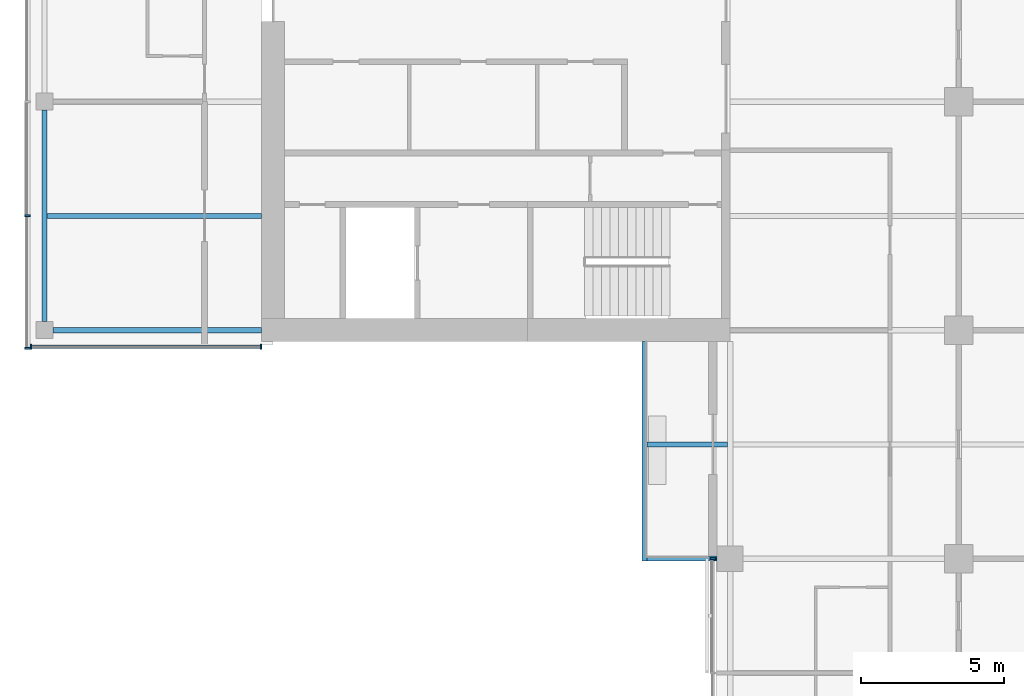
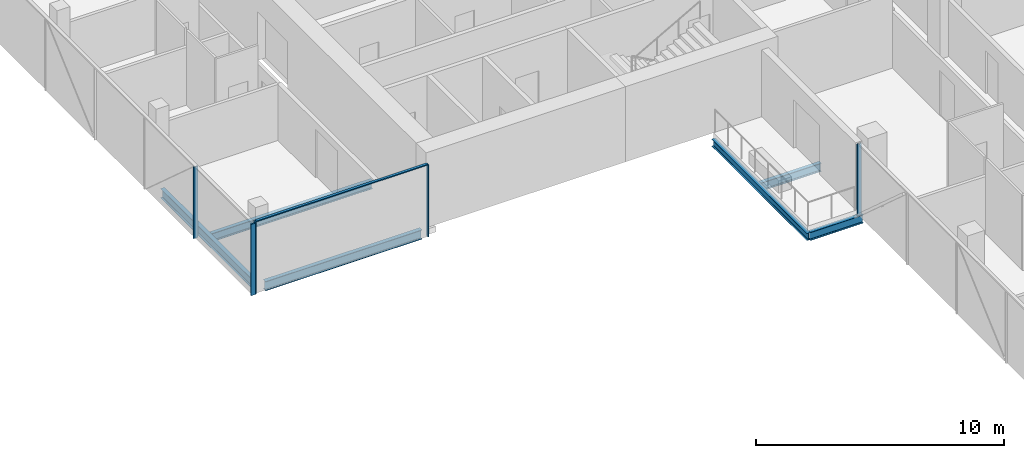
# One storey, part 3 of 27: 6 beams, 6 members, 3 elements without a shape of their own.
"""IFC4 building model written with IfcOpenShell, lengths in metres."""

from ifc_helpers import new_model, si_unit, direction, frame, origin, origin_2d, place, context, subcontext, project, spatial, rectangle, i_section, extrude, material, material_profile, profile_set, type_object, element, aggregate, save


model = new_model("IFC4")

# Units and contexts
model_context = context("Model", 3, precision=1e-05, world=origin(), true_north=direction((0.0, 1.0)))
body_context = subcontext(model_context, "Body", "Model", "MODEL_VIEW")
ifc_project = project(units=[si_unit("LENGTHUNIT", "METRE"), si_unit("AREAUNIT", "SQUARE_METRE"), si_unit("VOLUMEUNIT", "CUBIC_METRE"), si_unit("PLANEANGLEUNIT", "RADIAN"), si_unit("MASSUNIT", "GRAM", prefix="KILO")], contexts=[model_context])

# Site, building, storey
site_placement = place(None, origin())
site = spatial("IfcSite", under=ifc_project, at=site_placement, CompositionType="ELEMENT")
building_placement = place(site_placement, origin())
building = spatial("IfcBuilding", under=site, at=building_placement, Name="Crosswind Convention Tower", CompositionType="ELEMENT")
storey_placement = place(building_placement, frame((0.0, 0.0, 101.60009765625)))
storey = spatial("IfcBuildingStorey", under=building, at=storey_placement, Name="L20", CompositionType="ELEMENT", Elevation=101.60009765625)

# Beams
ifc_material_1 = material(Name="Steel S355", Category="steel")
ifc_material_profile_1 = material_profile(ifc_material_1, i_section(OverallWidth=0.177734375, OverallDepth=0.406494140625, WebThickness=0.0078125, FlangeThickness=0.0126953125, FilletRadius=0.01025390625, at=origin_2d()), Name="UB 406x178x60")
ifc_profile_set_1 = profile_set([ifc_material_profile_1], Name="Steel S355")
beam_type_1 = type_object("IfcBeamType", Name="Balcony cantilever UB 406x178x60", PredefinedType="BEAM", material=ifc_profile_set_1)
beam_1_placement = place(storey_placement, frame((112.90478515625, 84.0, -0.4833984375), z_axis=(-1.0, 0.0, 0.0), x_axis=(0.0, -1.0, 0.0)))
element("IfcBeam", 1, at=beam_1_placement, inside=storey, type_object=beam_type_1, Name="B35 L20 balcony cantilever SW 7", PredefinedType="BEAM", context=body_context, shape_type="SweptSolid", body=[
    extrude(i_section(OverallWidth=0.177734375, OverallDepth=0.406494140625, WebThickness=0.0078125, FlangeThickness=0.0126953125, FilletRadius=0.01025390625, at=origin_2d()), origin(), (0.0, 0.0, 1.0), 2.8193359375),
])
beam_2_placement = place(storey_placement, frame((112.550048828125, 80.0, -0.4833984375), z_axis=(-1.0, 0.0, 0.0), x_axis=(0.0, -1.0, 0.0)))
element("IfcBeam", 2, at=beam_2_placement, inside=storey, type_object=beam_type_1, Name="B35 L20 balcony cantilever SW 8", PredefinedType="BEAM", context=body_context, shape_type="SweptSolid", body=[
    extrude(i_section(OverallWidth=0.177734375, OverallDepth=0.406494140625, WebThickness=0.0078125, FlangeThickness=0.0126953125, FilletRadius=0.01025390625, at=origin_2d()), origin(), (0.0, 0.0, 1.0), 2.464599609375),
])
ifc_material_profile_2 = material_profile(ifc_material_1, i_section(OverallWidth=0.1708984375, OverallDepth=0.35205078125, WebThickness=0.0068359375, FlangeThickness=0.009765625, FilletRadius=0.01025390625, at=origin_2d()), Name="UB 356x171x45")
ifc_profile_set_2 = profile_set([ifc_material_profile_2], Name="Steel S355")
beam_type_2 = type_object("IfcBeamType", Name="Balcony edge beam UB 356x171x45", PredefinedType="BEAM", material=ifc_profile_set_2)
beam_3_placement = place(storey_placement, frame((110.0, 87.60009765625, -0.4560546875), z_axis=(0.0, -1.0, 0.0), x_axis=(1.0, 0.0, 0.0)))
element("IfcBeam", 3, at=beam_3_placement, inside=storey, type_object=beam_type_2, Name="B37 L20 balcony edge beam SW 9", PredefinedType="BEAM", context=body_context, shape_type="SweptSolid", body=[
    extrude(i_section(OverallWidth=0.1708984375, OverallDepth=0.35205078125, WebThickness=0.0068359375, FlangeThickness=0.009765625, FilletRadius=0.01025390625, at=origin_2d()), origin(), (0.0, 0.0, 1.0), 7.68896484375),
])
ifc_material_profile_3 = material_profile(ifc_material_1, i_section(OverallWidth=0.1904296875, OverallDepth=0.457275390625, WebThickness=0.009033203125, FlangeThickness=0.014404296875, FilletRadius=0.01025390625, at=origin_2d()), Name="UB 457x191x75")
ifc_profile_set_3 = profile_set([ifc_material_profile_3], Name="Steel S355")
beam_type_3 = type_object("IfcBeamType", Name="Edge beam UB 457x191x75", PredefinedType="SPANDREL", material=ifc_profile_set_3)
beam_4_placement = place(storey_placement, frame((89.0, 88.300048828125, -0.5087890625), z_axis=(0.0, 1.0, 0.0), x_axis=(-1.0, 0.0, 0.0)))
element("IfcBeam", 4, at=beam_4_placement, inside=storey, type_object=beam_type_3, Name="B17 L20 edge beam 1", PredefinedType="SPANDREL", context=body_context, shape_type="SweptSolid", body=[
    extrude(i_section(OverallWidth=0.1904296875, OverallDepth=0.457275390625, WebThickness=0.009033203125, FlangeThickness=0.014404296875, FilletRadius=0.01025390625, at=origin_2d()), origin(), (0.0, 0.0, 1.0), 7.39990234375),
])
beam_5_placement = place(storey_placement, frame((89.300048828125, 88.0, -0.5087890625), z_axis=(1.0, 0.0, 0.0), x_axis=(0.0, 1.0, 0.0)))
element("IfcBeam", 5, at=beam_5_placement, inside=storey, type_object=beam_type_3, Name="B17 L20 edge beam 4", PredefinedType="SPANDREL", context=body_context, shape_type="SweptSolid", body=[
    extrude(i_section(OverallWidth=0.1904296875, OverallDepth=0.457275390625, WebThickness=0.009033203125, FlangeThickness=0.014404296875, FilletRadius=0.01025390625, at=origin_2d()), origin(), (0.0, 0.0, 1.0), 7.300048828125),
])

# Curtain wall, members
ifc_material_2 = material(Name="Aluminium unitised curtain wall", Category="aluminium")
curtain_wall_type_1 = type_object("IfcCurtainWallType", Name="CORE END SLOT WALL 160", PredefinedType="USERDEFINED", material=ifc_material_2)
curtain_wall_1_placement = place(storey_placement, origin())
curtain_wall_1 = element("IfcCurtainWall", 6, at=curtain_wall_1_placement, inside=storey, type_object=curtain_wall_type_1, Name="CW6 L20 W-S.1-1 slot", ObjectType="UNITISED", PredefinedType="USERDEFINED")
ifc_material_3 = material(Name="Aluminium mullion", Category="aluminium")
ifc_material_profile_4 = material_profile(ifc_material_3, rectangle(XDim=0.159912109375, YDim=0.050048828125, at=origin_2d()), Name="AL 160X50")
ifc_profile_set_4 = profile_set([ifc_material_profile_4], Name="Aluminium mullion")
member_type_1 = type_object("IfcMemberType", Name="MULLION 50X160", PredefinedType="MULLION", material=ifc_profile_set_4)
member_1_placement = place(storey_placement, frame((88.52490234375, 87.419921875, -0.280029296875), z_axis=(0.0, 0.0, 1.0), x_axis=(0.0, -1.0, 0.0)))
member_1 = element("IfcMember", 7, at=member_1_placement, type_object=member_type_1, Name="CW6 mullion 1", PredefinedType="MULLION", context=body_context, shape_type="SweptSolid", body=[
    extrude(rectangle(XDim=0.159912109375, YDim=0.050048828125, at=origin_2d()), origin(), (0.0, 0.0, 1.0), 3.530029296875),
])
member_2_placement = place(storey_placement, frame((96.574951171875, 87.419921875, -0.280029296875), z_axis=(0.0, 0.0, 1.0), x_axis=(0.0, -1.0, 0.0)))
member_2 = element("IfcMember", 8, at=member_2_placement, type_object=member_type_1, Name="CW6 mullion 2", PredefinedType="MULLION", context=body_context, shape_type="SweptSolid", body=[
    extrude(rectangle(XDim=0.159912109375, YDim=0.050048828125, at=origin_2d()), origin(), (0.0, 0.0, 1.0), 3.530029296875),
])

curtain_wall_type_2 = type_object("IfcCurtainWallType", Name="HOTEL UNITISED WALL 200", PredefinedType="USERDEFINED", material=ifc_material_2)
curtain_wall_2_placement = place(storey_placement, origin())
curtain_wall_2 = element("IfcCurtainWall", 9, at=curtain_wall_2_placement, inside=storey, type_object=curtain_wall_type_2, Name="CW2 L20 W-TIP 1", ObjectType="UNITISED", PredefinedType="USERDEFINED")
ifc_material_profile_5 = material_profile(ifc_material_3, rectangle(XDim=0.199951171875, YDim=0.06494140625, at=origin_2d()), Name="AL 200X65")
ifc_profile_set_5 = profile_set([ifc_material_profile_5], Name="Aluminium mullion")
member_type_2 = type_object("IfcMemberType", Name="MULLION 65X200", PredefinedType="MULLION", material=ifc_profile_set_5)
member_3_placement = place(storey_placement, frame((88.39990234375, 92.0, -0.280029296875), z_axis=(0.0, 0.0, 1.0), x_axis=(-1.0, 0.0, 0.0)))
member_3 = element("IfcMember", 10, at=member_3_placement, type_object=member_type_2, Name="CW2 mullion 6", PredefinedType="MULLION", context=body_context, shape_type="SweptSolid", body=[
    extrude(rectangle(XDim=0.199951171875, YDim=0.06494140625, at=origin_2d()), origin(), (0.0, 0.0, 1.0), 3.514892578125),
])
member_4_placement = place(storey_placement, frame((88.39990234375, 87.37255859375, -0.280029296875), z_axis=(0.0, 0.0, 1.0), x_axis=(-1.0, 0.0, 0.0)))
member_4 = element("IfcMember", 11, at=member_4_placement, type_object=member_type_2, Name="CW2 mullion 7", PredefinedType="MULLION", context=body_context, shape_type="SweptSolid", body=[
    extrude(rectangle(XDim=0.199951171875, YDim=0.06494140625, at=origin_2d()), origin(), (0.0, 0.0, 1.0), 3.514892578125),
])
aggregate(curtain_wall_2, [member_3, member_4])

# Curtain wall, member
curtain_wall_3_placement = place(storey_placement, origin())
curtain_wall_3 = element("IfcCurtainWall", 12, at=curtain_wall_3_placement, inside=storey, type_object=curtain_wall_type_2, Name="CW2 L20 S-W 1", ObjectType="UNITISED", PredefinedType="USERDEFINED")
member_5_placement = place(storey_placement, frame((112.39990234375, 80.0, -0.280029296875), z_axis=(0.0, 0.0, 1.0), x_axis=(-1.0, 0.0, 0.0)))
member_5 = element("IfcMember", 13, at=member_5_placement, type_object=member_type_2, Name="CW2 mullion 1", PredefinedType="MULLION", context=body_context, shape_type="SweptSolid", body=[
    extrude(rectangle(XDim=0.199951171875, YDim=0.06494140625, at=origin_2d()), origin(), (0.0, 0.0, 1.0), 3.514892578125),
])
aggregate(curtain_wall_3, [member_5])

# Beam
ifc_material_profile_6 = material_profile(ifc_material_1, i_section(OverallWidth=0.177734375, OverallDepth=0.406494140625, WebThickness=0.0078125, FlangeThickness=0.0126953125, FilletRadius=0.01025390625, at=origin_2d()), Name="UB 406x178x60")
ifc_profile_set_6 = profile_set([ifc_material_profile_6], Name="Steel S355")
beam_type_4 = type_object("IfcBeamType", Name="Secondary beam UB 406x178x60", PredefinedType="JOIST", material=ifc_profile_set_6)
beam_6_placement = place(storey_placement, frame((89.09521484375, 92.0, -0.4833984375), z_axis=(1.0, 0.0, 0.0), x_axis=(0.0, 1.0, 0.0)))
element("IfcBeam", 14, at=beam_6_placement, inside=storey, type_object=beam_type_4, Name="B10 L20 secondary beam 1", PredefinedType="JOIST", context=body_context, shape_type="SweptSolid", body=[
    extrude(i_section(OverallWidth=0.177734375, OverallDepth=0.406494140625, WebThickness=0.0078125, FlangeThickness=0.0126953125, FilletRadius=0.01025390625, at=origin_2d()), origin(), (0.0, 0.0, 1.0), 7.5048828125),
])

# Member
ifc_material_4 = material(Name="Aluminium transom", Category="aluminium")
ifc_material_profile_7 = material_profile(ifc_material_4, rectangle(XDim=0.1201171875, YDim=0.050048828125, at=origin_2d()), Name="AL 120X50")
ifc_profile_set_7 = profile_set([ifc_material_profile_7], Name="Aluminium transom")
member_type_3 = type_object("IfcMemberType", Name="TRANSOM 50X120", PredefinedType="USERDEFINED", material=ifc_profile_set_7)
member_6_placement = place(storey_placement, frame((88.550048828125, 87.419921875, 3.27490234375), z_axis=(1.0, 0.0, 0.0), x_axis=(0.0, 1.0, 0.0)))
member_6 = element("IfcMember", 15, at=member_6_placement, type_object=member_type_3, Name="CW6 transom", ObjectType="TRANSOM", PredefinedType="USERDEFINED", context=body_context, shape_type="SweptSolid", body=[
    extrude(rectangle(XDim=0.1201171875, YDim=0.050048828125, at=origin_2d()), origin(), (0.0, 0.0, 1.0), 8.0),
])

aggregate(curtain_wall_1, [member_1, member_2, member_6])

save(model, "model.ifc")
